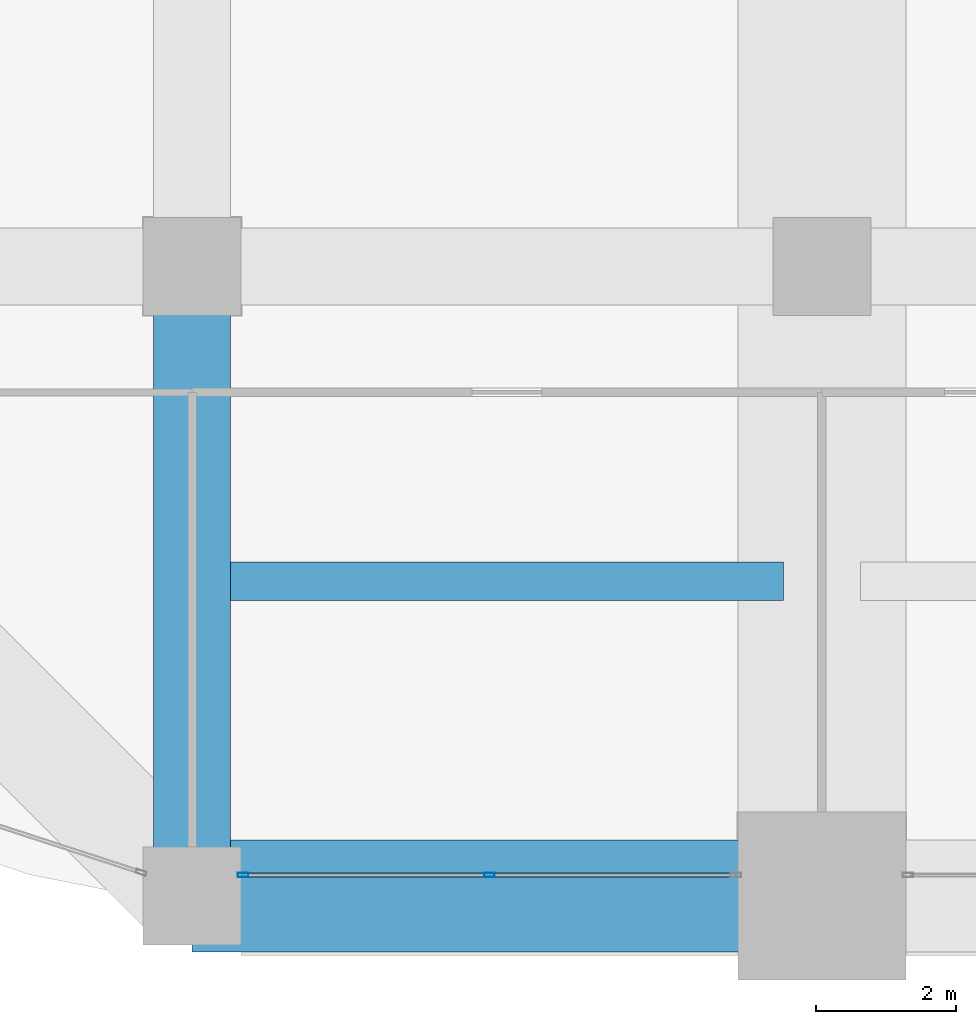
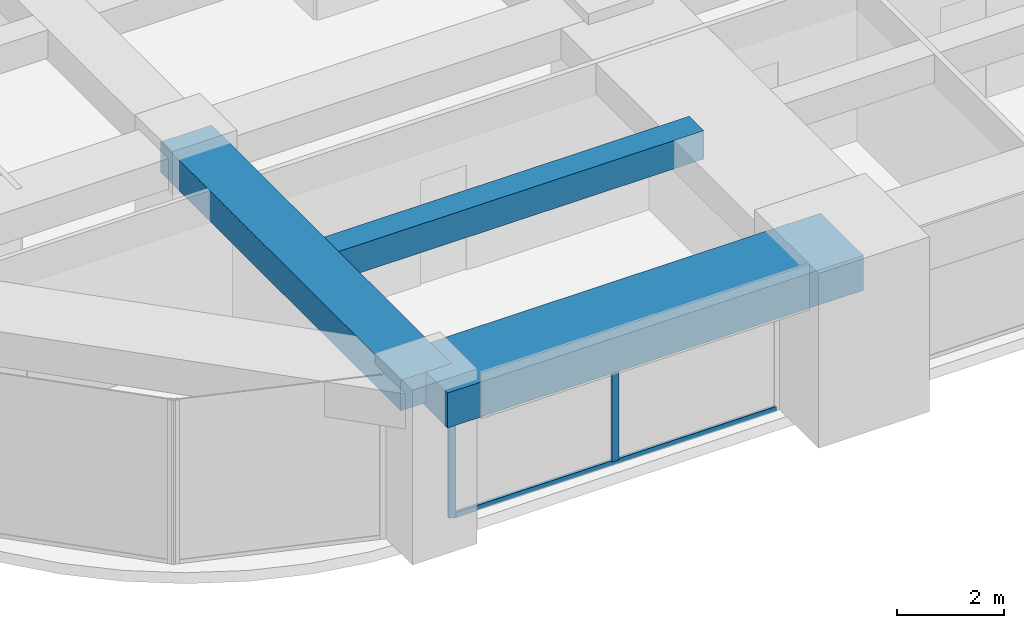
# One storey, part 3 of 35: 3 beams, 3 members, 1 element without a shape of its own.
"""IFC4 building model written with IfcOpenShell, lengths in metres."""

from ifc_helpers import new_model, si_unit, direction, frame, origin, origin_2d, place, context, subcontext, project, spatial, rectangle, hollow_rectangle, extrude, material, material_profile, profile_set, type_object, element, aggregate, save


model = new_model("IFC4")

# Units and contexts
model_context = context("Model", 3, precision=1e-05, world=origin(), true_north=direction((0.0, 1.0)))
body_context = subcontext(model_context, "Body", "Model", "MODEL_VIEW")
ifc_project = project(units=[si_unit("LENGTHUNIT", "METRE"), si_unit("AREAUNIT", "SQUARE_METRE"), si_unit("VOLUMEUNIT", "CUBIC_METRE"), si_unit("PLANEANGLEUNIT", "RADIAN"), si_unit("MASSUNIT", "GRAM", prefix="KILO")], contexts=[model_context])

# Site, building, storey
site_placement = place(None, origin())
site = spatial("IfcSite", under=ifc_project, at=site_placement, CompositionType="ELEMENT")
building_placement = place(site_placement, origin())
building = spatial("IfcBuilding", under=site, at=building_placement, Name="Zorevar Civic Tower", CompositionType="ELEMENT")
storey_placement = place(building_placement, frame((0.0, 0.0, 222.199951171875)))
storey = spatial("IfcBuildingStorey", under=building, at=storey_placement, Name="L54", CompositionType="ELEMENT", Elevation=222.199951171875)

# Beams
ifc_material_1 = material(Name="Concrete C50/60", Category="concrete")
ifc_material_profile_1 = material_profile(ifc_material_1, rectangle(XDim=1.10009765625, YDim=0.699951171875, at=origin_2d()), Name="RC 1100x700")
ifc_profile_set_1 = profile_set([ifc_material_profile_1], Name="Concrete C50/60")
beam_type_1 = type_object("IfcBeamType", Name="Beam RC 1100x700", PredefinedType="BEAM", material=ifc_profile_set_1)
beam_1_placement = place(storey_placement, frame((9.0, 0.0, 3.400146484375), z_axis=(0.0, 1.0, 0.0), x_axis=(-1.0, 0.0, 0.0)))
element("IfcBeam", 1, at=beam_1_placement, inside=storey, type_object=beam_type_1, Name="Girder L55", PredefinedType="BEAM", context=body_context, shape_type="SweptSolid", body=[
    extrude(rectangle(XDim=1.10009765625, YDim=0.699951171875, at=origin_2d()), origin(), (0.0, 0.0, 1.0), 9.0),
])
ifc_material_2 = material(Name="Concrete C50/60", Category="concrete")
ifc_material_profile_2 = material_profile(ifc_material_2, rectangle(XDim=0.550048828125, YDim=0.64990234375, at=origin_2d()), Name="RC 550x650")
ifc_profile_set_2 = profile_set([ifc_material_profile_2], Name="Concrete C50/60")
beam_type_2 = type_object("IfcBeamType", Name="Beam RC 550x650", PredefinedType="BEAM", material=ifc_profile_set_2)
beam_2_placement = place(storey_placement, frame((9.550048828125, 4.5, 3.425048828125), z_axis=(1.0, 0.0, 0.0), x_axis=(0.0, 1.0, 0.0)))
element("IfcBeam", 2, at=beam_2_placement, inside=storey, type_object=beam_type_2, Name="Secondary beam L55", PredefinedType="BEAM", context=body_context, shape_type="SweptSolid", body=[
    extrude(rectangle(XDim=0.550048828125, YDim=0.64990234375, at=origin_2d()), origin(), (0.0, 0.0, 1.0), 7.89990234375),
])

# Curtain wall, members
ifc_material_3 = material(Name="Dark grey solar-control glass in black aluminium frame", Category="aluminium")
curtain_wall_type = type_object("IfcCurtainWallType", Name="Curtain wall CW4 high zone", PredefinedType="NOTDEFINED", material=ifc_material_3)
curtain_wall_placement = place(storey_placement, origin())
curtain_wall = element("IfcCurtainWall", 3, at=curtain_wall_placement, inside=storey, type_object=curtain_wall_type, Name="CW4 L54", PredefinedType="NOTDEFINED")
ifc_material_4 = material(Name="Aluminium, black anodised", Category="aluminium")
ifc_material_profile_3 = material_profile(ifc_material_4, hollow_rectangle(XDim=0.06005859375, YDim=0.14990234375, WallThickness=0.00390625, at=origin_2d()), Name="AL 150x60x4")
ifc_profile_set_3 = profile_set([ifc_material_profile_3], Name="Aluminium, black anodised")
member_type_1 = type_object("IfcMemberType", Name="CW4 mullion AL 150x60x4", PredefinedType="MULLION", material=ifc_profile_set_3)
member_1_placement = place(storey_placement, frame((9.72998046875, 0.300048828125, 0.0), z_axis=(0.0, 0.0, 1.0), x_axis=(0.0, 1.0, 0.0)))
member_1 = element("IfcMember", 4, at=member_1_placement, type_object=member_type_1, Name="CW4 mullion 1", PredefinedType="MULLION", context=body_context, shape_type="SweptSolid", body=[
    extrude(hollow_rectangle(XDim=0.06005859375, YDim=0.14990234375, WallThickness=0.00390625, at=origin_2d()), origin(), (0.0, 0.0, 1.0), 2.949951171875),
])
member_2_placement = place(storey_placement, frame((13.25, 0.300048828125, 0.06005859375), z_axis=(0.0, 0.0, 1.0), x_axis=(0.0, 1.0, 0.0)))
member_2 = element("IfcMember", 5, at=member_2_placement, type_object=member_type_1, Name="CW4 mullion 2", PredefinedType="MULLION", context=body_context, shape_type="SweptSolid", body=[
    extrude(hollow_rectangle(XDim=0.06005859375, YDim=0.14990234375, WallThickness=0.00390625, at=origin_2d()), origin(), (0.0, 0.0, 1.0), 2.889892578125),
])
ifc_material_5 = material(Name="Aluminium, black anodised", Category="aluminium")
ifc_material_profile_4 = material_profile(ifc_material_5, hollow_rectangle(XDim=0.06005859375, YDim=0.1201171875, WallThickness=0.0029296875, at=origin_2d()), Name="AL 120x60x3")
ifc_profile_set_4 = profile_set([ifc_material_profile_4], Name="Aluminium, black anodised")
member_type_2 = type_object("IfcMemberType", Name="CW4 transom AL 120x60x3", PredefinedType="USERDEFINED", material=ifc_profile_set_4)
member_3_placement = place(storey_placement, frame((9.760009765625, 0.300048828125, 0.030029296875), z_axis=(1.0, 0.0, 0.0), x_axis=(0.0, 1.0, 0.0)))
member_3 = element("IfcMember", 6, at=member_3_placement, type_object=member_type_2, Name="CW4 sill transom", ObjectType="TRANSOM", PredefinedType="USERDEFINED", context=body_context, shape_type="SweptSolid", body=[
    extrude(hollow_rectangle(XDim=0.06005859375, YDim=0.1201171875, WallThickness=0.0029296875, at=origin_2d()), origin(), (0.0, 0.0, 1.0), 6.97998046875),
])
aggregate(curtain_wall, [member_1, member_2, member_3])

# Beam
ifc_material_6 = material(Name="Concrete C50/60", Category="concrete")
ifc_material_profile_5 = material_profile(ifc_material_6, rectangle(XDim=1.60009765625, YDim=0.800048828125, at=origin_2d()), Name="RC 1600x800")
ifc_profile_set_5 = profile_set([ifc_material_profile_5], Name="Concrete C50/60")
beam_type_3 = type_object("IfcBeamType", Name="Edge beam RC 1600x800", PredefinedType="SPANDREL", material=ifc_profile_set_5)
beam_3_placement = place(storey_placement, frame((9.0, 0.0, 3.35009765625), z_axis=(1.0, 0.0, 0.0), x_axis=(0.0, 1.0, 0.0)))
element("IfcBeam", 7, at=beam_3_placement, inside=storey, type_object=beam_type_3, Name="Edge beam L55", PredefinedType="SPANDREL", context=body_context, shape_type="SweptSolid", body=[
    extrude(rectangle(XDim=1.60009765625, YDim=0.800048828125, at=origin_2d()), origin(), (0.0, 0.0, 1.0), 9.0),
])

save(model, "model.ifc")
